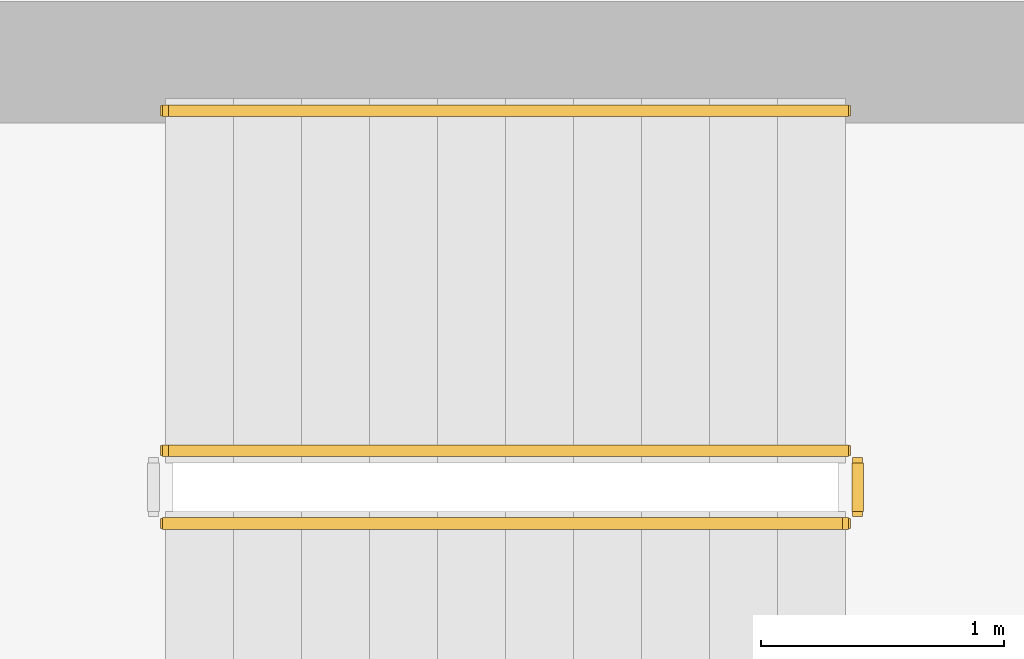
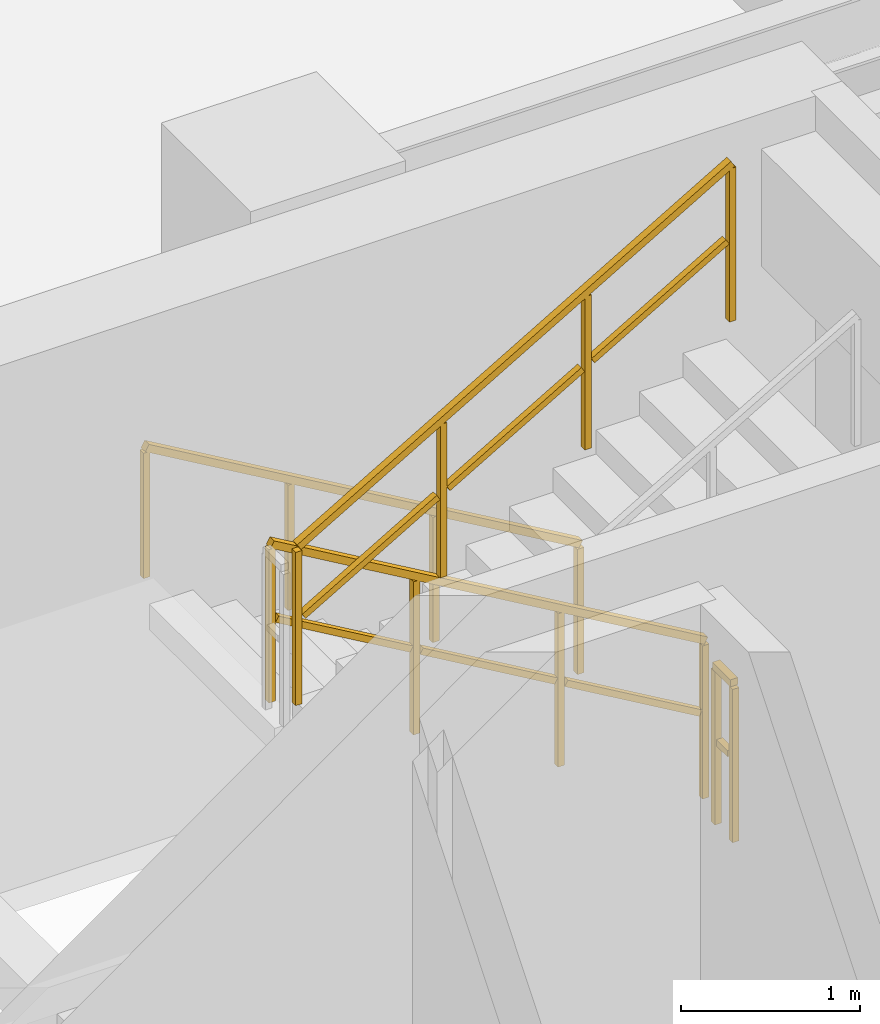
# One storey, part 31 of 33: 4 railings.
"""IFC4 building model written with IfcOpenShell, lengths in metres."""

from ifc_helpers import new_model, si_unit, direction, frame, origin, origin_2d, place, context, subcontext, project, spatial, rectangle, extrude, material, type_object, element, save


model = new_model("IFC4")

# Units and contexts
model_context = context("Model", 3, precision=1e-05, world=origin(), true_north=direction((0.0, 1.0)))
body_context = subcontext(model_context, "Body", "Model", "MODEL_VIEW")
ifc_project = project(units=[si_unit("LENGTHUNIT", "METRE"), si_unit("AREAUNIT", "SQUARE_METRE"), si_unit("VOLUMEUNIT", "CUBIC_METRE"), si_unit("PLANEANGLEUNIT", "RADIAN"), si_unit("MASSUNIT", "GRAM", prefix="KILO")], contexts=[model_context])

# Site, building, storey
site_placement = place(None, origin())
site = spatial("IfcSite", under=ifc_project, at=site_placement, CompositionType="ELEMENT")
building_placement = place(site_placement, origin())
building = spatial("IfcBuilding", under=site, at=building_placement, Name="Thornwick Lancets Civic Towers", CompositionType="ELEMENT")
storey_placement = place(building_placement, frame((0.0, 0.0, 214.5)))
storey = spatial("IfcBuildingStorey", under=building, at=storey_placement, Name="L57", CompositionType="ELEMENT", Elevation=214.5)

# Railings
ifc_material_1 = material(Name="Brushed stainless steel S355", Category="steel")
railing_type_1 = type_object("IfcRailingType", Name="RAIL_HANDRAIL", PredefinedType="HANDRAIL", material=ifc_material_1)
railing_1_placement = place(storey_placement, frame((31.60009765625, 38.949951171875, 0.16357421875)))
element("IfcRailing", 1, at=railing_1_placement, inside=storey, type_object=railing_type_1, Name="L57 ST-A2 stair handrail 1", PredefinedType="HANDRAIL", context=body_context, shape_type="SweptSolid", body=[
    extrude(rectangle(XDim=0.048095703125, YDim=0.048095703125, at=origin_2d()), frame((0.0, 0.0, 0.8857421875), z_axis=(-0.863360870873, 0.0, 0.504586966384), x_axis=(0.0, -1.0, 0.0)), (0.0, 0.0, 1.0), 3.2431640625),
    extrude(rectangle(XDim=0.0419921875, YDim=0.0419921875, at=origin_2d()), origin(), (0.0, 0.0, 1.0), 0.855712890625),
    extrude(rectangle(XDim=0.0419921875, YDim=0.0419921875, at=origin_2d()), frame((-0.933349609375, 0.0, 0.54541015625)), (0.0, 0.0, 1.0), 0.855712890625),
    extrude(rectangle(XDim=0.0419921875, YDim=0.0419921875, at=origin_2d()), frame((-1.86669921875, 0.0, 1.091064453125)), (0.0, 0.0, 1.0), 0.855712890625),
    extrude(rectangle(XDim=0.0419921875, YDim=0.0419921875, at=origin_2d()), frame((-2.800048828125, 0.0, 1.636474609375)), (0.0, 0.0, 1.0), 0.855712890625),
])
ifc_material_2 = material(Name="Steel S355JR", Category="steel")
railing_type_2 = type_object("IfcRailingType", Name="RAIL_STAIR_GUARD", PredefinedType="GUARDRAIL", material=ifc_material_2)
railing_2_placement = place(storey_placement, frame((31.60009765625, 37.550048828125, 0.16357421875)))
element("IfcRailing", 2, at=railing_2_placement, inside=storey, type_object=railing_type_2, Name="L57 ST-A2 stair guard 1", PredefinedType="GUARDRAIL", context=body_context, shape_type="SweptSolid", body=[
    extrude(rectangle(XDim=0.048095703125, YDim=0.048095703125, at=origin_2d()), frame((0.0, 0.0, 1.076171875), z_axis=(-0.863360870873, 0.0, 0.504586966384), x_axis=(0.0, -1.0, 0.0)), (0.0, 0.0, 1.0), 3.2431640625),
    extrude(rectangle(XDim=0.0419921875, YDim=0.0419921875, at=origin_2d()), frame((-0.032470703125, 0.0, 0.591064453125), z_axis=(-0.863360870873, 0.0, 0.504586966384), x_axis=(0.0, -1.0, 0.0)), (0.0, 0.0, 1.0), 1.006103515625),
    extrude(rectangle(XDim=0.0419921875, YDim=0.0419921875, at=origin_2d()), frame((-0.9658203125, 0.0, 1.136474609375), z_axis=(-0.863360870873, 0.0, 0.504586966384), x_axis=(0.0, -1.0, 0.0)), (0.0, 0.0, 1.0), 1.006103515625),
    extrude(rectangle(XDim=0.0419921875, YDim=0.0419921875, at=origin_2d()), frame((-1.899169921875, 0.0, 1.681884765625), z_axis=(-0.863360870873, 0.0, 0.504586966384), x_axis=(0.0, -1.0, 0.0)), (0.0, 0.0, 1.0), 1.006103515625),
    extrude(rectangle(XDim=0.0419921875, YDim=0.0419921875, at=origin_2d()), origin(), (0.0, 0.0, 1.0), 1.0458984375),
    extrude(rectangle(XDim=0.0419921875, YDim=0.0419921875, at=origin_2d()), frame((-0.933349609375, 0.0, 0.54541015625)), (0.0, 0.0, 1.0), 1.0458984375),
    extrude(rectangle(XDim=0.0419921875, YDim=0.0419921875, at=origin_2d()), frame((-1.86669921875, 0.0, 1.091064453125)), (0.0, 0.0, 1.0), 1.0458984375),
    extrude(rectangle(XDim=0.0419921875, YDim=0.0419921875, at=origin_2d()), frame((-2.800048828125, 0.0, 1.636474609375)), (0.0, 0.0, 1.0), 1.0458984375),
])
railing_3_placement = place(storey_placement, frame((28.800048828125, 37.25, 1.963623046875)))
element("IfcRailing", 3, at=railing_3_placement, inside=storey, type_object=railing_type_2, Name="L57 ST-A2 stair guard 3", PredefinedType="GUARDRAIL", context=body_context, shape_type="SweptSolid", body=[
    extrude(rectangle(XDim=0.048095703125, YDim=0.048095703125, at=origin_2d()), frame((0.0, 0.0, 1.076171875), z_axis=(0.863360870873, 0.0, 0.504586966384), x_axis=(0.0, 1.0, 0.0)), (0.0, 0.0, 1.0), 3.2431640625),
    extrude(rectangle(XDim=0.0419921875, YDim=0.0419921875, at=origin_2d()), frame((0.032470703125, 0.0, 0.591064453125), z_axis=(0.863360870873, 0.0, 0.504586966384), x_axis=(0.0, 1.0, 0.0)), (0.0, 0.0, 1.0), 1.006103515625),
    extrude(rectangle(XDim=0.0419921875, YDim=0.0419921875, at=origin_2d()), frame((0.9658203125, 0.0, 1.136474609375), z_axis=(0.863360870873, 0.0, 0.504586966384), x_axis=(0.0, 1.0, 0.0)), (0.0, 0.0, 1.0), 1.006103515625),
    extrude(rectangle(XDim=0.0419921875, YDim=0.0419921875, at=origin_2d()), frame((1.899169921875, 0.0, 1.681884765625), z_axis=(0.863360870873, 0.0, 0.504586966384), x_axis=(0.0, 1.0, 0.0)), (0.0, 0.0, 1.0), 1.006103515625),
    extrude(rectangle(XDim=0.0419921875, YDim=0.0419921875, at=origin_2d()), origin(), (0.0, 0.0, 1.0), 1.0458984375),
    extrude(rectangle(XDim=0.0419921875, YDim=0.0419921875, at=origin_2d()), frame((0.933349609375, 0.0, 0.54541015625)), (0.0, 0.0, 1.0), 1.0458984375),
    extrude(rectangle(XDim=0.0419921875, YDim=0.0419921875, at=origin_2d()), frame((1.86669921875, 0.0, 1.091064453125)), (0.0, 0.0, 1.0), 1.0458984375),
    extrude(rectangle(XDim=0.0419921875, YDim=0.0419921875, at=origin_2d()), frame((2.800048828125, 0.0, 1.636474609375)), (0.0, 0.0, 1.0), 1.0458984375),
])
railing_4_placement = place(storey_placement, frame((31.64990234375, 37.5, 0.0)))
element("IfcRailing", 4, at=railing_4_placement, inside=storey, type_object=railing_type_2, Name="L57 ST-A2 stair guard 4", PredefinedType="GUARDRAIL", context=body_context, shape_type="SweptSolid", body=[
    extrude(rectangle(XDim=0.048095703125, YDim=0.048095703125, at=origin_2d()), frame((0.0, 0.0, 1.076171875), z_axis=(0.0, -1.0, 0.0), x_axis=(1.0, 0.0, 0.0)), (0.0, 0.0, 1.0), 0.199951171875),
    extrude(rectangle(XDim=0.0419921875, YDim=0.0419921875, at=origin_2d()), frame((0.0, -0.03759765625, 0.572021484375), z_axis=(0.0, -1.0, 0.0), x_axis=(1.0, 0.0, 0.0)), (0.0, 0.0, 1.0), 0.125),
    extrude(rectangle(XDim=0.0419921875, YDim=0.0419921875, at=origin_2d()), origin(), (0.0, 0.0, 1.0), 1.0458984375),
    extrude(rectangle(XDim=0.0419921875, YDim=0.0419921875, at=origin_2d()), frame((0.0, -0.199951171875, 0.0)), (0.0, 0.0, 1.0), 1.0458984375),
])

save(model, "model.ifc")
